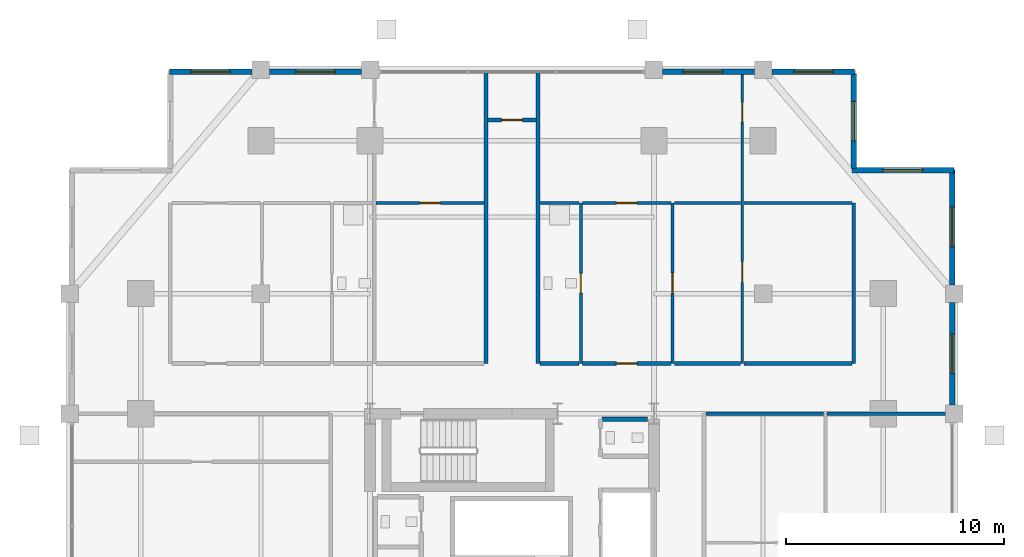
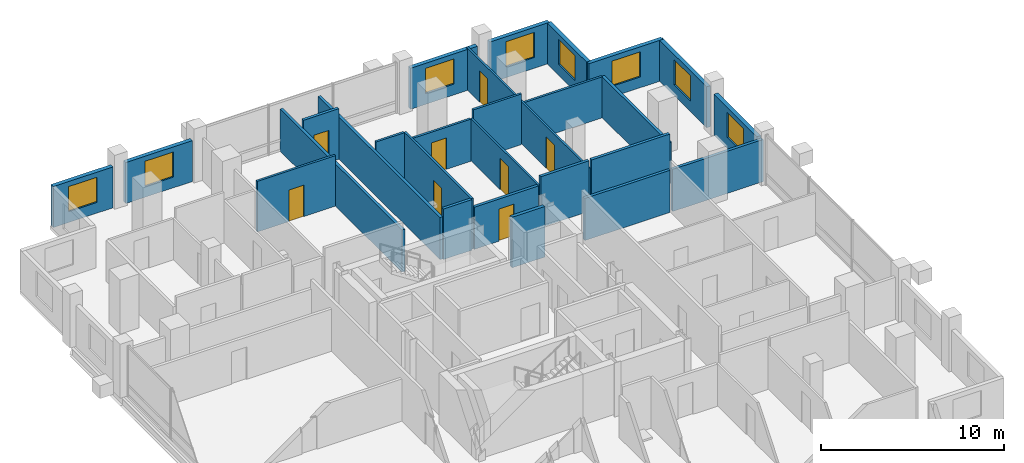
# One storey, part 17 of 20: 27 walls, 8 doors, 8 windows, 16 openings.
"""IFC4 building model written with IfcOpenShell, lengths in metres."""

from ifc_helpers import new_model, si_unit, direction, frame, frame_2d, origin, place, context, subcontext, project, spatial, rectangle, extrude, material, layer, layer_set, type_object, element, fill, save


model = new_model("IFC4")

# Units and contexts
model_context = context("Model", 3, precision=1e-05, world=origin(), true_north=direction((0.0, 1.0)))
body_context = subcontext(model_context, "Body", "Model", "MODEL_VIEW")
ifc_project = project(units=[si_unit("LENGTHUNIT", "METRE"), si_unit("AREAUNIT", "SQUARE_METRE"), si_unit("VOLUMEUNIT", "CUBIC_METRE"), si_unit("PLANEANGLEUNIT", "RADIAN"), si_unit("MASSUNIT", "GRAM", prefix="KILO")], contexts=[model_context])

# Site, building, storey
site_placement = place(None, origin())
site = spatial("IfcSite", under=ifc_project, at=site_placement, CompositionType="ELEMENT")
building_placement = place(site_placement, origin())
building = spatial("IfcBuilding", under=site, at=building_placement, Name="Barlavira Tower and Art Museum", CompositionType="ELEMENT")
storey_placement = place(building_placement, frame((0.0, 0.0, 147.60009765625)))
storey = spatial("IfcBuildingStorey", under=building, at=storey_placement, Name="L37", CompositionType="ELEMENT", Elevation=147.60009765625)

# Wall, opening, door
ifc_material_1 = material(Name="Gypsum acoustic stud partition", Category="gypsum")
ifc_layer_1 = layer(ifc_material_1, 0.1201171875, Name="Gypsum acoustic stud partition")
ifc_layer_set_1 = layer_set([ifc_layer_1], Name="Gypsum acoustic stud partition")
wall_type_1 = type_object("IfcWallType", Name="Apartment Internal Acoustic Partition 120", PredefinedType="PARTITIONING", material=ifc_layer_set_1)
wall_1_placement = place(storey_placement, frame((7.35009765625, 9.800048828125, 0.0), z_axis=(0.0, 0.0, 1.0), x_axis=(0.0, 1.0, 0.0)))
wall_1 = element("IfcWall", 1, at=wall_1_placement, inside=storey, type_object=wall_type_1, Name="L37 Partition Wall 18", PredefinedType="PARTITIONING", context=body_context, shape_type="SweptSolid", body=[
    extrude(rectangle(XDim=7.349853515625, YDim=0.1201171875, at=frame_2d((3.6748046875, 0.0))), origin(), (0.0, 0.0, 1.0), 2.81591796875),
])
opening_1_placement = place(wall_1_placement, frame((3.195068359375, 0.0, 0.0)))
opening_1 = element("IfcOpeningElement", 2, at=opening_1_placement, cuts=wall_1, Name="Opening D-02", PredefinedType="OPENING", context=body_context, shape_type="SweptSolid", body=[
    extrude(rectangle(XDim=0.949951171875, YDim=2.10009765625, at=frame_2d((0.47509765625, 1.050048828125))), frame((0.0, 0.070068359375, 0.0), z_axis=(0.0, -1.0, 0.0), x_axis=(1.0, 0.0, 0.0)), (0.0, 0.0, 1.0), 0.14013671875),
])
ifc_material_2 = material(Name="Engineered coastal hardwood", Category="wood")
door_type_1 = type_object("IfcDoorType", Name="Living and Salon Glazed-Leaf Door 950x2100", OperationType="NOTDEFINED", PredefinedType="DOOR", material=ifc_material_2)
door_1_placement = place(opening_1_placement, origin())
door_1 = element("IfcDoor", 3, at=door_1_placement, inside=storey, type_object=door_type_1, Name="Apartment NE1 Kitchen Door", OperationType="SINGLE_SWING_RIGHT", OverallHeight=2.10009765625, OverallWidth=0.949951171875, PredefinedType="DOOR", context=body_context, shape_type="SweptSolid", body=[
    extrude(rectangle(XDim=0.949951171875, YDim=2.10009765625, at=frame_2d((0.47509765625, 1.050048828125))), frame((0.0, 0.02490234375, 0.0), z_axis=(0.0, -1.0, 0.0), x_axis=(1.0, 0.0, 0.0)), (0.0, 0.0, 1.0), 0.050048828125),
])
fill(opening_1, door_1)

# Wall, openings, doors
wall_2_placement = place(storey_placement, frame((10.550048828125, 9.800048828125, 0.0), z_axis=(0.0, 0.0, 1.0), x_axis=(0.0, 1.0, 0.0)))
wall_2 = element("IfcWall", 4, at=wall_2_placement, inside=storey, type_object=wall_type_1, Name="L37 Partition Wall 21", PredefinedType="PARTITIONING", context=body_context, shape_type="SweptSolid", body=[
    extrude(rectangle(XDim=13.349853515625, YDim=0.1201171875, at=frame_2d((6.6748046875, 0.0))), origin(), (0.0, 0.0, 1.0), 2.81591796875),
])
opening_2_placement = place(wall_2_placement, frame((3.71337890625, 0.0, 0.0)))
opening_2 = element("IfcOpeningElement", 5, at=opening_2_placement, cuts=wall_2, Name="Opening D-02", PredefinedType="OPENING", context=body_context, shape_type="SweptSolid", body=[
    extrude(rectangle(XDim=0.949951171875, YDim=2.10009765625, at=frame_2d((0.47509765625, 1.050048828125))), frame((0.0, 0.070068359375, 0.0), z_axis=(0.0, -1.0, 0.0), x_axis=(1.0, 0.0, 0.0)), (0.0, 0.0, 1.0), 0.14013671875),
])
opening_3_placement = place(wall_2_placement, frame((11.051025390625, 0.0, 0.0)))
opening_3 = element("IfcOpeningElement", 6, at=opening_3_placement, cuts=wall_2, Name="Opening D-01", PredefinedType="OPENING", context=body_context, shape_type="SweptSolid", body=[
    extrude(rectangle(XDim=0.89990234375, YDim=2.10009765625, at=frame_2d((0.449951171875, 1.050048828125))), frame((0.0, 0.070068359375, 0.0), z_axis=(0.0, -1.0, 0.0), x_axis=(1.0, 0.0, 0.0)), (0.0, 0.0, 1.0), 0.14013671875),
])
door_type_2 = type_object("IfcDoorType", Name="Internal Bedroom Timber Flush Door 900x2100", OperationType="NOTDEFINED", PredefinedType="DOOR", material=ifc_material_2)
door_2_placement = place(opening_3_placement, origin())
door_2 = element("IfcDoor", 7, at=door_2_placement, inside=storey, type_object=door_type_2, Name="Apartment NE1 Bedroom 1 Door", OperationType="SINGLE_SWING_LEFT", OverallHeight=2.10009765625, OverallWidth=0.89990234375, PredefinedType="DOOR", context=body_context, shape_type="SweptSolid", body=[
    extrude(rectangle(XDim=0.89990234375, YDim=2.10009765625, at=frame_2d((0.449951171875, 1.050048828125))), frame((0.0, 0.02490234375, 0.0), z_axis=(0.0, -1.0, 0.0), x_axis=(1.0, 0.0, 0.0)), (0.0, 0.0, 1.0), 0.050048828125),
])
fill(opening_3, door_2)
door_3_placement = place(opening_2_placement, origin())
door_3 = element("IfcDoor", 8, at=door_3_placement, inside=storey, type_object=door_type_1, Name="Apartment NE1 Dining Salon Door", OperationType="SINGLE_SWING_LEFT", OverallHeight=2.10009765625, OverallWidth=0.949951171875, PredefinedType="DOOR", context=body_context, shape_type="SweptSolid", body=[
    extrude(rectangle(XDim=0.949951171875, YDim=2.10009765625, at=frame_2d((0.47509765625, 1.050048828125))), frame((0.0, 0.02490234375, 0.0), z_axis=(0.0, -1.0, 0.0), x_axis=(1.0, 0.0, 0.0)), (0.0, 0.0, 1.0), 0.050048828125),
])
fill(opening_2, door_3)

# Walls
ifc_material_3 = material(Name="Autoclaved aerated concrete masonry", Category="masonry")
ifc_layer_2 = layer(ifc_material_3, 0.199951171875, Name="Autoclaved aerated concrete masonry")
ifc_layer_set_2 = layer_set([ifc_layer_2], Name="Autoclaved aerated concrete masonry")
wall_type_2 = type_object("IfcWallType", Name="Fire Compartment and Shaft Wall 200", PredefinedType="SOLIDWALL", material=ifc_layer_set_2)
wall_3_placement = place(storey_placement, frame((4.1298828125, 7.25, 0.0), z_axis=(0.0, 0.0, 1.0), x_axis=(1.0, 0.0, 0.0)))
element("IfcWall", 9, at=wall_3_placement, inside=storey, type_object=wall_type_2, Name="L37 Partition Wall 51", PredefinedType="SOLIDWALL", context=body_context, shape_type="SweptSolid", body=[
    extrude(rectangle(XDim=2.070068359375, YDim=0.199951171875, at=frame_2d((1.03515625, 0.0))), origin(), (0.0, 0.0, 1.0), 3.3798828125),
])
ifc_layer_3 = layer(ifc_material_1, 0.179931640625, Name="Gypsum acoustic stud partition")
ifc_layer_set_3 = layer_set([ifc_layer_3], Name="Gypsum acoustic stud partition")
wall_type_3 = type_object("IfcWallType", Name="Inter-Tenancy Party Partition Wall 180", PredefinedType="PARTITIONING", material=ifc_layer_set_3)
for number, where, z_axis, x_axis, name in (
    (10, (-1.199951171875, 9.800048828125, 0.0), (0.0, 0.0, 1.0), (0.0, 1.0, 0.0), "L37 Partition Wall 11"),
    (11, (1.199951171875, 9.800048828125, 0.0), (0.0, 0.0, 1.0), (0.0, 1.0, 0.0), "L37 Partition Wall 13"),
):
    element("IfcWall", number, at=place(storey_placement, frame(where, z_axis=z_axis, x_axis=x_axis)), inside=storey, type_object=wall_type_3, Name=name, PredefinedType="PARTITIONING", context=body_context, shape_type="SweptSolid", body=[
        extrude(rectangle(XDim=13.349853515625, YDim=0.179931640625, at=frame_2d((6.6748046875, 0.0))), origin(), (0.0, 0.0, 1.0), 2.81591796875),
    ])
wall_4_placement = place(storey_placement, frame((15.64990234375, 9.800048828125, 0.0), z_axis=(0.0, 0.0, 1.0), x_axis=(0.0, 1.0, 0.0)))
element("IfcWall", 12, at=wall_4_placement, inside=storey, type_object=wall_type_3, Name="L37 Partition Wall 24", PredefinedType="PARTITIONING", context=body_context, shape_type="SweptSolid", body=[
    extrude(rectangle(XDim=7.349853515625, YDim=0.179931640625, at=frame_2d((3.6748046875, 0.0))), origin(), (0.0, 0.0, 1.0), 2.73583984375),
])
wall_5_placement = place(storey_placement, frame((8.8798828125, 7.5, 0.0), z_axis=(0.0, 0.0, 1.0), x_axis=(1.0, 0.0, 0.0)))
element("IfcWall", 13, at=wall_5_placement, inside=storey, type_object=wall_type_3, Name="L37 Partition Wall 53", PredefinedType="PARTITIONING", context=body_context, shape_type="SweptSolid", body=[
    extrude(rectangle(XDim=5.39013671875, YDim=0.179931640625, at=frame_2d((2.695068359375, 0.0))), origin(), (0.0, 0.0, 1.0), 2.81591796875),
])
wall_6_placement = place(storey_placement, frame((14.429931640625, 7.5, 0.0), z_axis=(0.0, 0.0, 1.0), x_axis=(1.0, 0.0, 0.0)))
element("IfcWall", 14, at=wall_6_placement, inside=storey, type_object=wall_type_3, Name="L37 Partition Wall 54", PredefinedType="PARTITIONING", context=body_context, shape_type="SweptSolid", body=[
    extrude(rectangle(XDim=5.719970703125, YDim=0.179931640625, at=frame_2d((2.85986328125, 0.0))), origin(), (0.0, 0.0, 1.0), 2.81591796875),
])
wall_7_placement = place(storey_placement, frame((1.280029296875, 9.800048828125, 0.0), z_axis=(0.0, 0.0, 1.0), x_axis=(1.0, 0.0, 0.0)))
element("IfcWall", 15, at=wall_7_placement, inside=storey, type_object=wall_type_3, Name="L37 Partition Wall 59", PredefinedType="PARTITIONING", context=body_context, shape_type="SweptSolid", body=[
    extrude(rectangle(XDim=1.7900390625, YDim=0.179931640625, at=frame_2d((0.89501953125, 0.0))), origin(), (0.0, 0.0, 1.0), 3.3798828125),
])

# Wall, opening, door
wall_8_placement = place(storey_placement, frame((3.22998046875, 9.800048828125, 0.0), z_axis=(0.0, 0.0, 1.0), x_axis=(1.0, 0.0, 0.0)))
wall_8 = element("IfcWall", 16, at=wall_8_placement, inside=storey, type_object=wall_type_3, Name="L37 Partition Wall 60", PredefinedType="PARTITIONING", context=body_context, shape_type="SweptSolid", body=[
    extrude(rectangle(XDim=4.0400390625, YDim=0.179931640625, at=frame_2d((2.02001953125, 0.0))), origin(), (0.0, 0.0, 1.0), 2.81591796875),
])
opening_4_placement = place(wall_8_placement, frame((1.544921875, 0.0, 0.0)))
opening_4 = element("IfcOpeningElement", 17, at=opening_4_placement, cuts=wall_8, Name="Opening FD-60", PredefinedType="OPENING", context=body_context, shape_type="SweptSolid", body=[
    extrude(rectangle(XDim=0.949951171875, YDim=2.14990234375, at=frame_2d((0.47509765625, 1.074951171875))), frame((0.0, 0.10009765625, 0.0), z_axis=(0.0, -1.0, 0.0), x_axis=(1.0, 0.0, 0.0)), (0.0, 0.0, 1.0), 0.199951171875),
])
ifc_material_4 = material(Name="Brushed stainless steel", Category="steel")
door_type_3 = type_object("IfcDoorType", Name="Apartment Entrance and Riser Fire Door 950x2150 FD60S", OperationType="NOTDEFINED", PredefinedType="DOOR", material=ifc_material_4)
door_4_placement = place(opening_4_placement, origin())
door_4 = element("IfcDoor", 18, at=door_4_placement, inside=storey, type_object=door_type_3, Name="Apartment Entrance Hall NE1 Door", OperationType="SINGLE_SWING_LEFT", OverallHeight=2.14990234375, OverallWidth=0.949951171875, PredefinedType="DOOR", context=body_context, shape_type="SweptSolid", body=[
    extrude(rectangle(XDim=0.949951171875, YDim=2.14990234375, at=frame_2d((0.47509765625, 1.074951171875))), frame((0.0, 0.02490234375, 0.0), z_axis=(0.0, -1.0, 0.0), x_axis=(1.0, 0.0, 0.0)), (0.0, 0.0, 1.0), 0.050048828125),
])
fill(opening_4, door_4)

# Walls
wall_9_placement = place(storey_placement, frame((7.429931640625, 9.800048828125, 0.0), z_axis=(0.0, 0.0, 1.0), x_axis=(1.0, 0.0, 0.0)))
element("IfcWall", 19, at=wall_9_placement, inside=storey, type_object=wall_type_3, Name="L37 Partition Wall 61", PredefinedType="PARTITIONING", context=body_context, shape_type="SweptSolid", body=[
    extrude(rectangle(XDim=3.0400390625, YDim=0.179931640625, at=frame_2d((1.52001953125, 0.0))), origin(), (0.0, 0.0, 1.0), 3.3798828125),
])
wall_10_placement = place(storey_placement, frame((10.6298828125, 9.800048828125, 0.0), z_axis=(0.0, 0.0, 1.0), x_axis=(1.0, 0.0, 0.0)))
element("IfcWall", 20, at=wall_10_placement, inside=storey, type_object=wall_type_3, Name="L37 Partition Wall 62", PredefinedType="PARTITIONING", context=body_context, shape_type="SweptSolid", body=[
    extrude(rectangle(XDim=4.940185546875, YDim=0.179931640625, at=frame_2d((2.47021484375, 0.0))), origin(), (0.0, 0.0, 1.0), 3.3798828125),
])

# Wall, opening, door
wall_11_placement = place(storey_placement, frame((-1.1201171875, 20.949951171875, 0.0), z_axis=(0.0, 0.0, 1.0), x_axis=(1.0, 0.0, 0.0)))
wall_11 = element("IfcWall", 21, at=wall_11_placement, inside=storey, type_object=wall_type_3, Name="L37 Partition Wall 71", PredefinedType="PARTITIONING", context=body_context, shape_type="SweptSolid", body=[
    extrude(rectangle(XDim=2.240234375, YDim=0.179931640625, at=frame_2d((1.1201171875, 0.0))), origin(), (0.0, 0.0, 1.0), 3.3798828125),
])
opening_5_placement = place(wall_11_placement, frame((0.64501953125, 0.0, 0.0)))
opening_5 = element("IfcOpeningElement", 22, at=opening_5_placement, cuts=wall_11, Name="Opening FD-60", PredefinedType="OPENING", context=body_context, shape_type="SweptSolid", body=[
    extrude(rectangle(XDim=0.949951171875, YDim=2.14990234375, at=frame_2d((0.47509765625, 1.074951171875))), frame((0.0, 0.10009765625, 0.0), z_axis=(0.0, -1.0, 0.0), x_axis=(1.0, 0.0, 0.0)), (0.0, 0.0, 1.0), 0.199951171875),
])
door_5_placement = place(opening_5_placement, origin())
door_5 = element("IfcDoor", 23, at=door_5_placement, inside=storey, type_object=door_type_3, Name="L37 North Ocean Alcove Door", OperationType="SINGLE_SWING_LEFT", OverallHeight=2.14990234375, OverallWidth=0.949951171875, PredefinedType="DOOR", context=body_context, shape_type="SweptSolid", body=[
    extrude(rectangle(XDim=0.949951171875, YDim=2.14990234375, at=frame_2d((0.47509765625, 1.074951171875))), frame((0.0, 0.02490234375, 0.0), z_axis=(0.0, -1.0, 0.0), x_axis=(1.0, 0.0, 0.0)), (0.0, 0.0, 1.0), 0.050048828125),
])
fill(opening_5, door_5)

ifc_layer_4 = layer(ifc_material_1, 0.139892578125, Name="Gypsum acoustic stud partition")
ifc_layer_set_4 = layer_set([ifc_layer_4], Name="Gypsum acoustic stud partition")
wall_type_4 = type_object("IfcWallType", Name="Moisture-Resistant Bathroom Partition 140", PredefinedType="PARTITIONING", material=ifc_layer_set_4)
wall_12_placement = place(storey_placement, frame((3.14990234375, 9.800048828125, 0.0), z_axis=(0.0, 0.0, 1.0), x_axis=(0.0, 1.0, 0.0)))
wall_12 = element("IfcWall", 24, at=wall_12_placement, inside=storey, type_object=wall_type_4, Name="L37 Partition Wall 15", PredefinedType="PARTITIONING", context=body_context, shape_type="SweptSolid", body=[
    extrude(rectangle(XDim=7.349853515625, YDim=0.139892578125, at=frame_2d((3.6748046875, 0.0))), origin(), (0.0, 0.0, 1.0), 3.3798828125),
])
opening_6_placement = place(wall_12_placement, frame((3.219970703125, 0.0, 0.0)))
opening_6 = element("IfcOpeningElement", 25, at=opening_6_placement, cuts=wall_12, Name="Opening D-WC", PredefinedType="OPENING", context=body_context, shape_type="SweptSolid", body=[
    extrude(rectangle(XDim=0.89990234375, YDim=2.10009765625, at=frame_2d((0.449951171875, 1.050048828125))), frame((0.0, 0.080078125, 0.0), z_axis=(0.0, -1.0, 0.0), x_axis=(1.0, 0.0, 0.0)), (0.0, 0.0, 1.0), 0.159912109375),
])
door_type_4 = type_object("IfcDoorType", Name="Accessible Bathroom Flush Door 900x2100", OperationType="NOTDEFINED", PredefinedType="DOOR", material=ifc_material_2)
door_6_placement = place(opening_6_placement, origin())
door_6 = element("IfcDoor", 26, at=door_6_placement, inside=storey, type_object=door_type_4, Name="Apartment NE1 Hall Bathroom Door", OperationType="SINGLE_SWING_RIGHT", OverallHeight=2.10009765625, OverallWidth=0.89990234375, PredefinedType="DOOR", context=body_context, shape_type="SweptSolid", body=[
    extrude(rectangle(XDim=0.89990234375, YDim=2.10009765625, at=frame_2d((0.449951171875, 1.050048828125))), frame((0.0, 0.02490234375, 0.0), z_axis=(0.0, -1.0, 0.0), x_axis=(1.0, 0.0, 0.0)), (0.0, 0.0, 1.0), 0.050048828125),
])
fill(opening_6, door_6)

wall_13_placement = place(storey_placement, frame((-6.219970703125, 17.14990234375, 0.0), z_axis=(0.0, 0.0, 1.0), x_axis=(1.0, 0.0, 0.0)))
wall_13 = element("IfcWall", 27, at=wall_13_placement, inside=storey, type_object=wall_type_4, Name="L37 Partition Wall 66", PredefinedType="PARTITIONING", context=body_context, shape_type="SweptSolid", body=[
    extrude(rectangle(XDim=4.93994140625, YDim=0.139892578125, at=frame_2d((2.469970703125, 0.0))), origin(), (0.0, 0.0, 1.0), 3.3798828125),
])
opening_7_placement = place(wall_13_placement, frame((1.9951171875, 0.0, 0.0)))
opening_7 = element("IfcOpeningElement", 28, at=opening_7_placement, cuts=wall_13, Name="Opening D-02", PredefinedType="OPENING", context=body_context, shape_type="SweptSolid", body=[
    extrude(rectangle(XDim=0.949951171875, YDim=2.10009765625, at=frame_2d((0.47509765625, 1.050048828125))), frame((0.0, 0.080078125, 0.0), z_axis=(0.0, -1.0, 0.0), x_axis=(1.0, 0.0, 0.0)), (0.0, 0.0, 1.0), 0.159912109375),
])
door_7_placement = place(opening_7_placement, origin())
door_7 = element("IfcDoor", 29, at=door_7_placement, inside=storey, type_object=door_type_1, Name="Apartment NW1 Dining Salon Door", OperationType="SINGLE_SWING_LEFT", OverallHeight=2.10009765625, OverallWidth=0.949951171875, PredefinedType="DOOR", context=body_context, shape_type="SweptSolid", body=[
    extrude(rectangle(XDim=0.949951171875, YDim=2.10009765625, at=frame_2d((0.47509765625, 1.050048828125))), frame((0.0, 0.02490234375, 0.0), z_axis=(0.0, -1.0, 0.0), x_axis=(1.0, 0.0, 0.0)), (0.0, 0.0, 1.0), 0.050048828125),
])
fill(opening_7, door_7)

# Wall
wall_14_placement = place(storey_placement, frame((1.280029296875, 17.14990234375, 0.0), z_axis=(0.0, 0.0, 1.0), x_axis=(1.0, 0.0, 0.0)))
element("IfcWall", 30, at=wall_14_placement, inside=storey, type_object=wall_type_4, Name="L37 Partition Wall 67", PredefinedType="PARTITIONING", context=body_context, shape_type="SweptSolid", body=[
    extrude(rectangle(XDim=1.7900390625, YDim=0.139892578125, at=frame_2d((0.89501953125, 0.0))), origin(), (0.0, 0.0, 1.0), 3.3798828125),
])

# Wall, opening, door
wall_15_placement = place(storey_placement, frame((3.22998046875, 17.14990234375, 0.0), z_axis=(0.0, 0.0, 1.0), x_axis=(1.0, 0.0, 0.0)))
wall_15 = element("IfcWall", 31, at=wall_15_placement, inside=storey, type_object=wall_type_4, Name="L37 Partition Wall 68", PredefinedType="PARTITIONING", context=body_context, shape_type="SweptSolid", body=[
    extrude(rectangle(XDim=4.0400390625, YDim=0.139892578125, at=frame_2d((2.02001953125, 0.0))), origin(), (0.0, 0.0, 1.0), 2.81591796875),
])
opening_8_placement = place(wall_15_placement, frame((1.544921875, 0.0, 0.0)))
opening_8 = element("IfcOpeningElement", 32, at=opening_8_placement, cuts=wall_15, Name="Opening D-02", PredefinedType="OPENING", context=body_context, shape_type="SweptSolid", body=[
    extrude(rectangle(XDim=0.949951171875, YDim=2.10009765625, at=frame_2d((0.47509765625, 1.050048828125))), frame((0.0, 0.080078125, 0.0), z_axis=(0.0, -1.0, 0.0), x_axis=(1.0, 0.0, 0.0)), (0.0, 0.0, 1.0), 0.159912109375),
])
door_8_placement = place(opening_8_placement, origin())
door_8 = element("IfcDoor", 33, at=door_8_placement, inside=storey, type_object=door_type_1, Name="Apartment NE1 Living Lounge Door", OperationType="SINGLE_SWING_RIGHT", OverallHeight=2.10009765625, OverallWidth=0.949951171875, PredefinedType="DOOR", context=body_context, shape_type="SweptSolid", body=[
    extrude(rectangle(XDim=0.949951171875, YDim=2.10009765625, at=frame_2d((0.47509765625, 1.050048828125))), frame((0.0, 0.02490234375, 0.0), z_axis=(0.0, -1.0, 0.0), x_axis=(1.0, 0.0, 0.0)), (0.0, 0.0, 1.0), 0.050048828125),
])
fill(opening_8, door_8)

# Walls
wall_16_placement = place(storey_placement, frame((7.429931640625, 17.14990234375, 0.0), z_axis=(0.0, 0.0, 1.0), x_axis=(1.0, 0.0, 0.0)))
element("IfcWall", 34, at=wall_16_placement, inside=storey, type_object=wall_type_4, Name="L37 Partition Wall 69", PredefinedType="PARTITIONING", context=body_context, shape_type="SweptSolid", body=[
    extrude(rectangle(XDim=3.0400390625, YDim=0.139892578125, at=frame_2d((1.52001953125, 0.0))), origin(), (0.0, 0.0, 1.0), 3.3798828125),
])
wall_17_placement = place(storey_placement, frame((10.6298828125, 17.14990234375, 0.0), z_axis=(0.0, 0.0, 1.0), x_axis=(1.0, 0.0, 0.0)))
element("IfcWall", 35, at=wall_17_placement, inside=storey, type_object=wall_type_4, Name="L37 Partition Wall 70", PredefinedType="PARTITIONING", context=body_context, shape_type="SweptSolid", body=[
    extrude(rectangle(XDim=4.940185546875, YDim=0.139892578125, at=frame_2d((2.47021484375, 0.0))), origin(), (0.0, 0.0, 1.0), 2.73583984375),
])

# Wall, opening, window
ifc_material_5 = material(Name="Precast concrete C40", Category="concrete")
ifc_layer_5 = layer(ifc_material_5, 0.25, Name="Precast concrete C40")
ifc_layer_set_5 = layer_set([ifc_layer_5], Name="Precast concrete C40")
wall_type_5 = type_object("IfcWallType", Name="Notched Corner Spandrel Wall 250 Precast Concrete C40", PredefinedType="SOLIDWALL", material=ifc_layer_set_5)
wall_18_placement = place(storey_placement, frame((15.675048828125, 23.14990234375, 0.0), z_axis=(0.0, 0.0, 1.0), x_axis=(-1.0, 0.0, 0.0)))
wall_18 = element("IfcWall", 36, at=wall_18_placement, inside=storey, type_object=wall_type_5, Name="L37 Coastal Facade Pier Wall CW2-L37-N-1", PredefinedType="SOLIDWALL", context=body_context, shape_type="SweptSolid", body=[
    extrude(rectangle(XDim=3.780029296875, YDim=0.25, at=frame_2d((1.89013671875, 0.0))), origin(), (0.0, 0.0, 1.0), 2.73583984375),
])
opening_9_placement = place(wall_18_placement, frame((0.968017578125, 0.0, 0.719970703125)))
opening_9 = element("IfcOpeningElement", 37, at=opening_9_placement, cuts=wall_18, Name="Opening WN-01", PredefinedType="OPENING", context=body_context, shape_type="SweptSolid", body=[
    extrude(rectangle(XDim=1.800048828125, YDim=1.679931640625, at=frame_2d((0.89990234375, 0.83984375))), frame((0.0, 0.135009765625, 0.0), z_axis=(0.0, -1.0, 0.0), x_axis=(1.0, 0.0, 0.0)), (0.0, 0.0, 1.0), 0.27001953125),
])
ifc_material_6 = material(Name="Low-iron coastal laminated glass", Category="glass")
window_type = type_object("IfcWindowType", Name="Recessed Notch Corner Punch Window 1800x1680", PartitioningType="SINGLE_PANEL", PredefinedType="WINDOW", material=ifc_material_6)
window_1_placement = place(opening_9_placement, origin())
window_1 = element("IfcWindow", 38, at=window_1_placement, inside=storey, type_object=window_type, Name="L37 Punched Facade Window EWP-CW2-L37-N-1-1", OverallHeight=1.679931640625, OverallWidth=1.800048828125, PartitioningType="SINGLE_PANEL", PredefinedType="WINDOW", context=body_context, shape_type="SweptSolid", body=[
    extrude(rectangle(XDim=1.800048828125, YDim=1.679931640625, at=frame_2d((0.89990234375, 0.83984375))), frame((0.0, 0.030029296875, 0.0), z_axis=(0.0, -1.0, 0.0), x_axis=(1.0, 0.0, 0.0)), (0.0, 0.0, 1.0), 0.06005859375),
])
fill(opening_9, window_1)

wall_19_placement = place(storey_placement, frame((11.10498046875, 23.14990234375, 0.0), z_axis=(0.0, 0.0, 1.0), x_axis=(-1.0, 0.0, 0.0)))
wall_19 = element("IfcWall", 39, at=wall_19_placement, inside=storey, type_object=wall_type_5, Name="L37 Coastal Facade Pier Wall CW2-L37-N-2", PredefinedType="SOLIDWALL", context=body_context, shape_type="SweptSolid", body=[
    extrude(rectangle(XDim=4.2099609375, YDim=0.25, at=frame_2d((2.10498046875, 0.0))), origin(), (0.0, 0.0, 1.0), 2.73583984375),
])
opening_10_placement = place(wall_19_placement, frame((1.4599609375, 0.0, 0.719970703125)))
opening_10 = element("IfcOpeningElement", 40, at=opening_10_placement, cuts=wall_19, Name="Opening WN-01", PredefinedType="OPENING", context=body_context, shape_type="SweptSolid", body=[
    extrude(rectangle(XDim=1.800048828125, YDim=1.679931640625, at=frame_2d((0.89990234375, 0.83984375))), frame((0.0, 0.135009765625, 0.0), z_axis=(0.0, -1.0, 0.0), x_axis=(1.0, 0.0, 0.0)), (0.0, 0.0, 1.0), 0.27001953125),
])
window_2_placement = place(opening_10_placement, origin())
window_2 = element("IfcWindow", 41, at=window_2_placement, inside=storey, type_object=window_type, Name="L37 Punched Facade Window EWP-CW2-L37-N-2-1", OverallHeight=1.679931640625, OverallWidth=1.800048828125, PartitioningType="SINGLE_PANEL", PredefinedType="WINDOW", context=body_context, shape_type="SweptSolid", body=[
    extrude(rectangle(XDim=1.800048828125, YDim=1.679931640625, at=frame_2d((0.89990234375, 0.83984375))), frame((0.0, 0.030029296875, 0.0), z_axis=(0.0, -1.0, 0.0), x_axis=(1.0, 0.0, 0.0)), (0.0, 0.0, 1.0), 0.06005859375),
])
fill(opening_10, window_2)

wall_20_placement = place(storey_placement, frame((-6.89501953125, 23.14990234375, 0.0), z_axis=(0.0, 0.0, 1.0), x_axis=(-1.0, 0.0, 0.0)))
wall_20 = element("IfcWall", 42, at=wall_20_placement, inside=storey, type_object=wall_type_5, Name="L37 Coastal Facade Pier Wall CW2-L37-N-4", PredefinedType="SOLIDWALL", context=body_context, shape_type="SweptSolid", body=[
    extrude(rectangle(XDim=4.2099609375, YDim=0.25, at=frame_2d((2.10498046875, 0.0))), origin(), (0.0, 0.0, 1.0), 2.73583984375),
])
opening_11_placement = place(wall_20_placement, frame((1.205078125, 0.0, 0.719970703125)))
opening_11 = element("IfcOpeningElement", 43, at=opening_11_placement, cuts=wall_20, Name="Opening WN-01", PredefinedType="OPENING", context=body_context, shape_type="SweptSolid", body=[
    extrude(rectangle(XDim=1.800048828125, YDim=1.679931640625, at=frame_2d((0.89990234375, 0.83984375))), frame((0.0, 0.135009765625, 0.0), z_axis=(0.0, -1.0, 0.0), x_axis=(1.0, 0.0, 0.0)), (0.0, 0.0, 1.0), 0.27001953125),
])
window_3_placement = place(opening_11_placement, origin())
window_3 = element("IfcWindow", 44, at=window_3_placement, inside=storey, type_object=window_type, Name="L37 Punched Facade Window EWP-CW2-L37-N-4-1", OverallHeight=1.679931640625, OverallWidth=1.800048828125, PartitioningType="SINGLE_PANEL", PredefinedType="WINDOW", context=body_context, shape_type="SweptSolid", body=[
    extrude(rectangle(XDim=1.800048828125, YDim=1.679931640625, at=frame_2d((0.89990234375, 0.83984375))), frame((0.0, 0.030029296875, 0.0), z_axis=(0.0, -1.0, 0.0), x_axis=(1.0, 0.0, 0.0)), (0.0, 0.0, 1.0), 0.06005859375),
])
fill(opening_11, window_3)

wall_21_placement = place(storey_placement, frame((-11.89501953125, 23.14990234375, 0.0), z_axis=(0.0, 0.0, 1.0), x_axis=(-1.0, 0.0, 0.0)))
wall_21 = element("IfcWall", 45, at=wall_21_placement, inside=storey, type_object=wall_type_5, Name="L37 Coastal Facade Pier Wall CW2-L37-N-5", PredefinedType="SOLIDWALL", context=body_context, shape_type="SweptSolid", body=[
    extrude(rectangle(XDim=3.780029296875, YDim=0.25, at=frame_2d((1.89013671875, 0.0))), origin(), (0.0, 0.0, 1.0), 2.73583984375),
])
opening_12_placement = place(wall_21_placement, frame((1.012939453125, 0.0, 0.719970703125)))
opening_12 = element("IfcOpeningElement", 46, at=opening_12_placement, cuts=wall_21, Name="Opening WN-01", PredefinedType="OPENING", context=body_context, shape_type="SweptSolid", body=[
    extrude(rectangle(XDim=1.800048828125, YDim=1.679931640625, at=frame_2d((0.89990234375, 0.83984375))), frame((0.0, 0.135009765625, 0.0), z_axis=(0.0, -1.0, 0.0), x_axis=(1.0, 0.0, 0.0)), (0.0, 0.0, 1.0), 0.27001953125),
])
window_4_placement = place(opening_12_placement, origin())
window_4 = element("IfcWindow", 47, at=window_4_placement, inside=storey, type_object=window_type, Name="L37 Punched Facade Window EWP-CW2-L37-N-5-1", OverallHeight=1.679931640625, OverallWidth=1.800048828125, PartitioningType="SINGLE_PANEL", PredefinedType="WINDOW", context=body_context, shape_type="SweptSolid", body=[
    extrude(rectangle(XDim=1.800048828125, YDim=1.679931640625, at=frame_2d((0.89990234375, 0.83984375))), frame((0.0, 0.030029296875, 0.0), z_axis=(0.0, -1.0, 0.0), x_axis=(1.0, 0.0, 0.0)), (0.0, 0.0, 1.0), 0.06005859375),
])
fill(opening_12, window_4)

wall_22_placement = place(storey_placement, frame((20.14990234375, 7.89501953125, 0.0), z_axis=(0.0, 0.0, 1.0), x_axis=(0.0, 1.0, 0.0)))
wall_22 = element("IfcWall", 48, at=wall_22_placement, inside=storey, type_object=wall_type_5, Name="L37 Coastal Facade Pier Wall CW2-L37-E-4", PredefinedType="SOLIDWALL", context=body_context, shape_type="SweptSolid", body=[
    extrude(rectangle(XDim=4.7099609375, YDim=0.25, at=frame_2d((2.35498046875, 0.0))), origin(), (0.0, 0.0, 1.0), 2.73583984375),
])
opening_13_placement = place(wall_22_placement, frame((1.455078125, 0.0, 0.719970703125)))
opening_13 = element("IfcOpeningElement", 49, at=opening_13_placement, cuts=wall_22, Name="Opening WN-01", PredefinedType="OPENING", context=body_context, shape_type="SweptSolid", body=[
    extrude(rectangle(XDim=1.800048828125, YDim=1.679931640625, at=frame_2d((0.89990234375, 0.83984375))), frame((0.0, 0.135009765625, 0.0), z_axis=(0.0, -1.0, 0.0), x_axis=(1.0, 0.0, 0.0)), (0.0, 0.0, 1.0), 0.27001953125),
])
window_5_placement = place(opening_13_placement, origin())
window_5 = element("IfcWindow", 50, at=window_5_placement, inside=storey, type_object=window_type, Name="L37 Punched Facade Window EWP-CW2-L37-E-4-1", OverallHeight=1.679931640625, OverallWidth=1.800048828125, PartitioningType="SINGLE_PANEL", PredefinedType="WINDOW", context=body_context, shape_type="SweptSolid", body=[
    extrude(rectangle(XDim=1.800048828125, YDim=1.679931640625, at=frame_2d((0.89990234375, 0.83984375))), frame((0.0, 0.030029296875, 0.0), z_axis=(0.0, -1.0, 0.0), x_axis=(1.0, 0.0, 0.0)), (0.0, 0.0, 1.0), 0.06005859375),
])
fill(opening_13, window_5)

wall_23_placement = place(storey_placement, frame((20.14990234375, 13.39501953125, 0.0), z_axis=(0.0, 0.0, 1.0), x_axis=(0.0, 1.0, 0.0)))
wall_23 = element("IfcWall", 51, at=wall_23_placement, inside=storey, type_object=wall_type_5, Name="L37 Coastal Facade Pier Wall CW2-L37-E-5", PredefinedType="SOLIDWALL", context=body_context, shape_type="SweptSolid", body=[
    extrude(rectangle(XDim=5.280029296875, YDim=0.25, at=frame_2d((2.64013671875, 0.0))), origin(), (0.0, 0.0, 1.0), 2.73583984375),
])
opening_14_placement = place(wall_23_placement, frame((1.762939453125, 0.0, 0.719970703125)))
opening_14 = element("IfcOpeningElement", 52, at=opening_14_placement, cuts=wall_23, Name="Opening WN-01", PredefinedType="OPENING", context=body_context, shape_type="SweptSolid", body=[
    extrude(rectangle(XDim=1.800048828125, YDim=1.679931640625, at=frame_2d((0.89990234375, 0.83984375))), frame((0.0, 0.135009765625, 0.0), z_axis=(0.0, -1.0, 0.0), x_axis=(1.0, 0.0, 0.0)), (0.0, 0.0, 1.0), 0.27001953125),
])
window_6_placement = place(opening_14_placement, origin())
window_6 = element("IfcWindow", 53, at=window_6_placement, inside=storey, type_object=window_type, Name="L37 Punched Facade Window EWP-CW2-L37-E-5-1", OverallHeight=1.679931640625, OverallWidth=1.800048828125, PartitioningType="SINGLE_PANEL", PredefinedType="WINDOW", context=body_context, shape_type="SweptSolid", body=[
    extrude(rectangle(XDim=1.800048828125, YDim=1.679931640625, at=frame_2d((0.89990234375, 0.83984375))), frame((0.0, 0.030029296875, 0.0), z_axis=(0.0, -1.0, 0.0), x_axis=(1.0, 0.0, 0.0)), (0.0, 0.0, 1.0), 0.06005859375),
])
fill(opening_14, window_6)

wall_24_placement = place(storey_placement, frame((20.22998046875, 18.64990234375, 0.0), z_axis=(0.0, 0.0, 1.0), x_axis=(-1.0, 0.0, 0.0)))
wall_24 = element("IfcWall", 54, at=wall_24_placement, inside=storey, type_object=wall_type_5, Name="L37 Notch Corner Wall NE1", PredefinedType="SOLIDWALL", context=body_context, shape_type="SweptSolid", body=[
    extrude(rectangle(XDim=4.659912109375, YDim=0.25, at=frame_2d((2.330078125, 0.0))), origin(), (0.0, 0.0, 1.0), 2.73583984375),
])
opening_15_placement = place(wall_24_placement, frame((1.429931640625, 0.0, 0.719970703125)))
opening_15 = element("IfcOpeningElement", 55, at=opening_15_placement, cuts=wall_24, Name="Opening WN-01", PredefinedType="OPENING", context=body_context, shape_type="SweptSolid", body=[
    extrude(rectangle(XDim=1.800048828125, YDim=1.679931640625, at=frame_2d((0.89990234375, 0.83984375))), frame((0.0, 0.135009765625, 0.0), z_axis=(0.0, -1.0, 0.0), x_axis=(1.0, 0.0, 0.0)), (0.0, 0.0, 1.0), 0.27001953125),
])
window_7_placement = place(opening_15_placement, origin())
window_7 = element("IfcWindow", 56, at=window_7_placement, inside=storey, type_object=window_type, Name="L37 Punched Facade Window EW-NTC-L37-NE1-1", OverallHeight=1.679931640625, OverallWidth=1.800048828125, PartitioningType="SINGLE_PANEL", PredefinedType="WINDOW", context=body_context, shape_type="SweptSolid", body=[
    extrude(rectangle(XDim=1.800048828125, YDim=1.679931640625, at=frame_2d((0.89990234375, 0.83984375))), frame((0.0, 0.030029296875, 0.0), z_axis=(0.0, -1.0, 0.0), x_axis=(1.0, 0.0, 0.0)), (0.0, 0.0, 1.0), 0.06005859375),
])
fill(opening_15, window_7)

wall_25_placement = place(storey_placement, frame((15.64990234375, 18.72998046875, 0.0), z_axis=(0.0, 0.0, 1.0), x_axis=(0.0, 1.0, 0.0)))
wall_25 = element("IfcWall", 57, at=wall_25_placement, inside=storey, type_object=wall_type_5, Name="L37 Notch Corner Wall NE2", PredefinedType="SOLIDWALL", context=body_context, shape_type="SweptSolid", body=[
    extrude(rectangle(XDim=4.340087890625, YDim=0.25, at=frame_2d((2.169921875, 0.0))), origin(), (0.0, 0.0, 1.0), 2.73583984375),
])
opening_16_placement = place(wall_25_placement, frame((1.27001953125, 0.0, 0.719970703125)))
opening_16 = element("IfcOpeningElement", 58, at=opening_16_placement, cuts=wall_25, Name="Opening WN-01", PredefinedType="OPENING", context=body_context, shape_type="SweptSolid", body=[
    extrude(rectangle(XDim=1.800048828125, YDim=1.679931640625, at=frame_2d((0.89990234375, 0.83984375))), frame((0.0, 0.135009765625, 0.0), z_axis=(0.0, -1.0, 0.0), x_axis=(1.0, 0.0, 0.0)), (0.0, 0.0, 1.0), 0.27001953125),
])
window_8_placement = place(opening_16_placement, origin())
window_8 = element("IfcWindow", 59, at=window_8_placement, inside=storey, type_object=window_type, Name="L37 Punched Facade Window EW-NTC-L37-NE2-1", OverallHeight=1.679931640625, OverallWidth=1.800048828125, PartitioningType="SINGLE_PANEL", PredefinedType="WINDOW", context=body_context, shape_type="SweptSolid", body=[
    extrude(rectangle(XDim=1.800048828125, YDim=1.679931640625, at=frame_2d((0.89990234375, 0.83984375))), frame((0.0, 0.030029296875, 0.0), z_axis=(0.0, -1.0, 0.0), x_axis=(1.0, 0.0, 0.0)), (0.0, 0.0, 1.0), 0.06005859375),
])
fill(opening_16, window_8)

save(model, "model.ifc")
